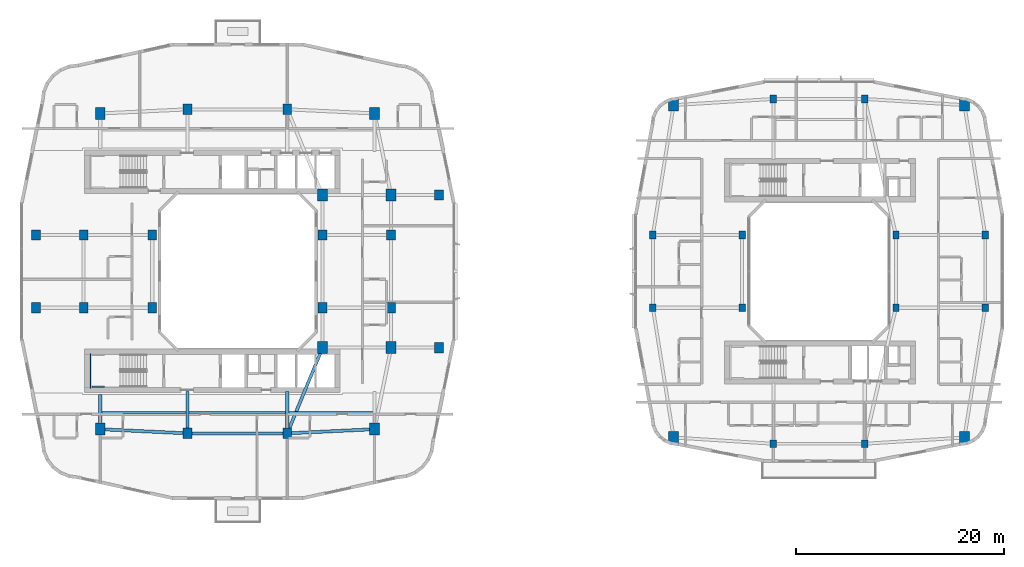
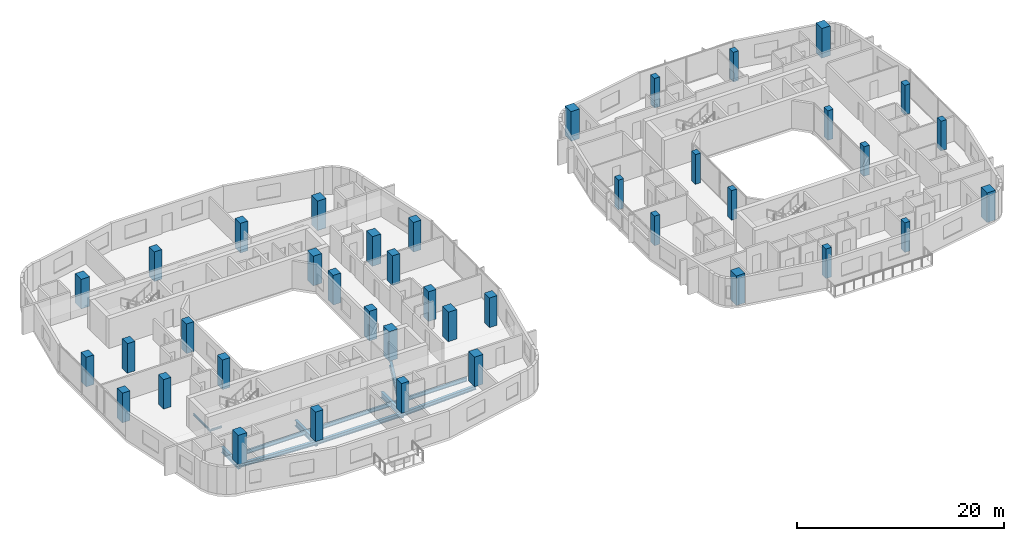
# One storey, part 1 of 24: 40 columns, 12 beams.
"""IFC4 building model written with IfcOpenShell, lengths in metres."""

from ifc_helpers import new_model, si_unit, derived_unit, direction, frame, origin, origin_2d, place, context, subcontext, project, spatial, rectangle, i_section, extrude, material, material_profile, profile_set, type_object, element, save


model = new_model("IFC4")

# Units and contexts
model_context = context("Model", 3, precision=1e-05, world=origin(), true_north=direction((0.0, 1.0)))
body_context = subcontext(model_context, "Body", "Model", "MODEL_VIEW")
ifc_project = project(units=[si_unit("LENGTHUNIT", "METRE"), si_unit("AREAUNIT", "SQUARE_METRE"), si_unit("VOLUMEUNIT", "CUBIC_METRE"), si_unit("PLANEANGLEUNIT", "RADIAN"), si_unit("MASSUNIT", "GRAM", prefix="KILO"), derived_unit("THERMALTRANSMITTANCEUNIT", [(si_unit("POWERUNIT", "WATT"), 1), (si_unit("LENGTHUNIT", "METRE"), -2), (si_unit("THERMODYNAMICTEMPERATUREUNIT", "KELVIN"), -1)])], contexts=[model_context])

# Site, building, storey
site_placement = place(None, origin())
site = spatial("IfcSite", under=ifc_project, at=site_placement, CompositionType="ELEMENT")
building_placement = place(site_placement, origin())
building = spatial("IfcBuilding", under=site, at=building_placement, Name="Kivonza Crest Hotel", CompositionType="ELEMENT")
storey_placement = place(building_placement, frame((0.0, 0.0, 80.0)))
storey = spatial("IfcBuildingStorey", under=building, at=storey_placement, Name="L21", CompositionType="ELEMENT", Elevation=80.0)

# Columns
ifc_material_1 = material(Name="Concrete C50/60", Category="concrete")
ifc_material_profile_1 = material_profile(ifc_material_1, rectangle(XDim=0.85009765625, YDim=1.0, at=origin_2d()), Name="RC 1000x850")
ifc_profile_set_1 = profile_set([ifc_material_profile_1], Name="Concrete C50/60")
column_type_1 = type_object("IfcColumnType", Name="CL-RC-1000x850", PredefinedType="COLUMN", material=ifc_profile_set_1)
for number, where, z_axis, x_axis, name in (
    (1, (16.199951171875, 9.39990234375, 0.0), (0.0, 0.0, 1.0), (1.0, 0.0, 0.0), "Tower T1 L21 column S1"),
    (2, (25.800048828125, 9.39990234375, 0.0), (0.0, 0.0, 1.0), (1.0, 0.0, 0.0), "Tower T1 L21 column S2"),
    (3, (16.199951171875, 40.60009765625, 0.0), (0.0, 0.0, 1.0), (1.0, 0.0, 0.0), "Tower T1 L21 column N1"),
    (4, (25.800048828125, 40.60009765625, 0.0), (0.0, 0.0, 1.0), (1.0, 0.0, 0.0), "Tower T1 L21 column N2"),
    (5, (6.199951171875, 21.5, 0.0), (0.0, 0.0, 1.0), (1.0, 0.0, 0.0), "Tower T1 L21 column W1"),
    (6, (6.199951171875, 28.5, 0.0), (0.0, 0.0, 1.0), (1.0, 0.0, 0.0), "Tower T1 L21 column W2"),
    (7, (35.800048828125, 21.5, 0.0), (0.0, 0.0, 1.0), (1.0, 0.0, 0.0), "Tower T1 L21 column E1"),
    (8, (35.800048828125, 28.5, 0.0), (0.0, 0.0, 1.0), (1.0, 0.0, 0.0), "Tower T1 L21 column E2"),
    (9, (12.800048828125, 21.5, 0.0), (0.0, 0.0, 1.0), (1.0, 0.0, 0.0), "Tower T1 L21 column WL1"),
    (10, (12.800048828125, 28.5, 0.0), (0.0, 0.0, 1.0), (1.0, 0.0, 0.0), "Tower T1 L21 column WL2"),
    (11, (29.199951171875, 21.5, 0.0), (0.0, 0.0, 1.0), (1.0, 0.0, 0.0), "Tower T1 L21 column WR1"),
    (12, (29.199951171875, 28.5, 0.0), (0.0, 0.0, 1.0), (1.0, 0.0, 0.0), "Tower T1 L21 column WR2"),
    (13, (1.60009765625, 21.5, 0.0), (0.0, 0.0, 1.0), (1.0, 0.0, 0.0), "Tower T1 L21 column Z1W1"),
    (14, (1.60009765625, 28.5, 0.0), (0.0, 0.0, 1.0), (1.0, 0.0, 0.0), "Tower T1 L21 column Z1W2"),
    (15, (40.39990234375, 17.64990234375, 0.0), (0.0, 0.0, 1.0), (1.0, 0.0, 0.0), "Tower T1 L21 column Z1E1"),
    (16, (40.39990234375, 32.35009765625, 0.0), (0.0, 0.0, 1.0), (1.0, 0.0, 0.0), "Tower T1 L21 column Z1E2"),
):
    element("IfcColumn", number, at=place(storey_placement, frame(where, z_axis=z_axis, x_axis=x_axis)), inside=storey, type_object=column_type_1, Name=name, PredefinedType="COLUMN", context=body_context, shape_type="SweptSolid", body=[
        extrude(rectangle(XDim=0.85009765625, YDim=1.0, at=origin_2d()), origin(), (0.0, 0.0, 1.0), 3.5),
    ])
ifc_material_2 = material(Name="Concrete C60/75", Category="concrete")
ifc_material_profile_2 = material_profile(ifc_material_2, rectangle(XDim=0.949951171875, YDim=1.14990234375, at=origin_2d()), Name="RC 1150x950")
ifc_profile_set_2 = profile_set([ifc_material_profile_2], Name="Concrete C60/75")
column_type_2 = type_object("IfcColumnType", Name="CL-RC-1150x950", PredefinedType="COLUMN", material=ifc_profile_set_2)
for number, where, z_axis, x_axis, name in (
    (17, (7.800048828125, 9.800048828125, 0.0), (0.0, 0.0, 1.0), (1.0, 0.0, 0.0), "Tower T1 L21 column SW"),
    (18, (34.199951171875, 9.800048828125, 0.0), (0.0, 0.0, 1.0), (1.0, 0.0, 0.0), "Tower T1 L21 column SE"),
    (19, (34.199951171875, 40.199951171875, 0.0), (0.0, 0.0, 1.0), (1.0, 0.0, 0.0), "Tower T1 L21 column NE"),
    (20, (7.800048828125, 40.199951171875, 0.0), (0.0, 0.0, 1.0), (1.0, 0.0, 0.0), "Tower T1 L21 column NW"),
    (21, (35.800048828125, 17.64990234375, 0.0), (0.0, 0.0, 1.0), (1.0, 0.0, 0.0), "Tower T1 L21 column PSE"),
    (22, (35.800048828125, 32.35009765625, 0.0), (0.0, 0.0, 1.0), (1.0, 0.0, 0.0), "Tower T1 L21 column PNE"),
    (23, (29.199951171875, 17.64990234375, 0.0), (0.0, 0.0, 1.0), (1.0, 0.0, 0.0), "Tower T1 L21 column TSE"),
    (24, (29.199951171875, 32.35009765625, 0.0), (0.0, 0.0, 1.0), (1.0, 0.0, 0.0), "Tower T1 L21 column TNE"),
    (25, (63.0, 9.0, 0.0), (0.0, 0.0, 1.0), (1.0, 0.0, 0.0), "Companion Tower T2 L21 column SW"),
    (26, (91.0, 9.0, 0.0), (0.0, 0.0, 1.0), (1.0, 0.0, 0.0), "Companion Tower T2 L21 column SE"),
    (27, (91.0, 41.0, 0.0), (0.0, 0.0, 1.0), (1.0, 0.0, 0.0), "Companion Tower T2 L21 column NE"),
    (28, (63.0, 41.0, 0.0), (0.0, 0.0, 1.0), (1.0, 0.0, 0.0), "Companion Tower T2 L21 column NW"),
):
    element("IfcColumn", number, at=place(storey_placement, frame(where, z_axis=z_axis, x_axis=x_axis)), inside=storey, type_object=column_type_2, Name=name, PredefinedType="COLUMN", context=body_context, shape_type="SweptSolid", body=[
        extrude(rectangle(XDim=0.949951171875, YDim=1.14990234375, at=origin_2d()), origin(), (0.0, 0.0, 1.0), 3.5),
    ])
ifc_material_profile_3 = material_profile(ifc_material_1, rectangle(XDim=0.60009765625, YDim=0.75, at=origin_2d()), Name="RC 750x600")
ifc_profile_set_3 = profile_set([ifc_material_profile_3], Name="Concrete C50/60")
column_type_3 = type_object("IfcColumnType", Name="CL-RC-750x600", PredefinedType="COLUMN", material=ifc_profile_set_3)
for number, where, z_axis, x_axis, name in (
    (29, (72.60009765625, 8.39990234375, 0.0), (0.0, 0.0, 1.0), (1.0, 0.0, 0.0), "Companion Tower T2 L21 column S1"),
    (30, (81.39990234375, 8.39990234375, 0.0), (0.0, 0.0, 1.0), (1.0, 0.0, 0.0), "Companion Tower T2 L21 column S2"),
    (31, (72.60009765625, 41.60009765625, 0.0), (0.0, 0.0, 1.0), (1.0, 0.0, 0.0), "Companion Tower T2 L21 column N1"),
    (32, (81.39990234375, 41.60009765625, 0.0), (0.0, 0.0, 1.0), (1.0, 0.0, 0.0), "Companion Tower T2 L21 column N2"),
    (33, (61.0, 21.5, 0.0), (0.0, 0.0, 1.0), (1.0, 0.0, 0.0), "Companion Tower T2 L21 column W1"),
    (34, (61.0, 28.5, 0.0), (0.0, 0.0, 1.0), (1.0, 0.0, 0.0), "Companion Tower T2 L21 column W2"),
    (35, (93.0, 21.5, 0.0), (0.0, 0.0, 1.0), (1.0, 0.0, 0.0), "Companion Tower T2 L21 column E1"),
    (36, (93.0, 28.5, 0.0), (0.0, 0.0, 1.0), (1.0, 0.0, 0.0), "Companion Tower T2 L21 column E2"),
    (37, (69.60009765625, 21.5, 0.0), (0.0, 0.0, 1.0), (1.0, 0.0, 0.0), "Companion Tower T2 L21 column WL1"),
    (38, (69.60009765625, 28.5, 0.0), (0.0, 0.0, 1.0), (1.0, 0.0, 0.0), "Companion Tower T2 L21 column WL2"),
    (39, (84.39990234375, 21.5, 0.0), (0.0, 0.0, 1.0), (1.0, 0.0, 0.0), "Companion Tower T2 L21 column WR1"),
    (40, (84.39990234375, 28.5, 0.0), (0.0, 0.0, 1.0), (1.0, 0.0, 0.0), "Companion Tower T2 L21 column WR2"),
):
    element("IfcColumn", number, at=place(storey_placement, frame(where, z_axis=z_axis, x_axis=x_axis)), inside=storey, type_object=column_type_3, Name=name, PredefinedType="COLUMN", context=body_context, shape_type="SweptSolid", body=[
        extrude(rectangle(XDim=0.60009765625, YDim=0.75, at=origin_2d()), origin(), (0.0, 0.0, 1.0), 3.5),
    ])

# Beams
ifc_material_3 = material(Name="Steel S355", Category="steel")
ifc_material_profile_4 = material_profile(ifc_material_3, i_section(OverallWidth=0.300048828125, OverallDepth=0.449951171875, WebThickness=0.013916015625, FlangeThickness=0.02587890625, FilletRadius=0.027099609375, at=origin_2d()), Name="HEB 450")
ifc_profile_set_4 = profile_set([ifc_material_profile_4], Name="Steel S355")
beam_type_1 = type_object("IfcBeamType", Name="BM-HEB450", PredefinedType="SPANDREL", material=ifc_profile_set_4)
beam_1_placement = place(storey_placement, frame((16.199951171875, 9.39990234375, -0.5048828125), z_axis=(1.0, 0.0, 0.0), x_axis=(0.0, 1.0, 0.0)))
element("IfcBeam", 41, at=beam_1_placement, inside=storey, type_object=beam_type_1, Name="Tower T1 L21 perimeter spandrel S1-S2", PredefinedType="SPANDREL", context=body_context, shape_type="SweptSolid", body=[
    extrude(i_section(OverallWidth=0.300048828125, OverallDepth=0.449951171875, WebThickness=0.013916015625, FlangeThickness=0.02587890625, FilletRadius=0.027099609375, at=origin_2d()), origin(), (0.0, 0.0, 1.0), 9.60009765625),
])
for number, where, z_axis, x_axis, name in (
    (42, (25.800048828125, 9.39990234375, -0.5048828125), (0.998867283688, 0.047583080799, 0.0), (-0.047583080799, 0.998867283688, 0.0), "Tower T1 L21 perimeter spandrel S2-SE"),
    (43, (7.800048828125, 9.800048828125, -0.5048828125), (0.998867283688, -0.047583080799, 0.0), (0.047583080799, 0.998867283688, 0.0), "Tower T1 L21 perimeter spandrel SW-S1"),
):
    element("IfcBeam", number, at=place(storey_placement, frame(where, z_axis=z_axis, x_axis=x_axis)), inside=storey, type_object=beam_type_1, Name=name, PredefinedType="SPANDREL", context=body_context, shape_type="SweptSolid", body=[
        extrude(i_section(OverallWidth=0.300048828125, OverallDepth=0.449951171875, WebThickness=0.013916015625, FlangeThickness=0.02587890625, FilletRadius=0.027099609375, at=origin_2d()), origin(), (0.0, 0.0, 1.0), 8.409423828125),
    ])
ifc_material_profile_5 = material_profile(ifc_material_3, i_section(OverallWidth=0.300048828125, OverallDepth=0.699951171875, WebThickness=0.01708984375, FlangeThickness=0.031982421875, FilletRadius=0.027099609375, at=origin_2d()), Name="HEB 700")
ifc_profile_set_5 = profile_set([ifc_material_profile_5], Name="Steel S355")
beam_type_2 = type_object("IfcBeamType", Name="BM-HEB700", PredefinedType="BEAM", material=ifc_profile_set_5)
beam_2_placement = place(storey_placement, frame((25.800048828125, 9.39990234375, -0.6298828125), z_axis=(0.381022260404, 0.924565864109, 0.0), x_axis=(-0.924565864109, 0.381022260404, 0.0)))
element("IfcBeam", 44, at=beam_2_placement, inside=storey, type_object=beam_type_2, Name="Tower T1 L21 primary girder S1-TSE", PredefinedType="BEAM", context=body_context, shape_type="SweptSolid", body=[
    extrude(i_section(OverallWidth=0.300048828125, OverallDepth=0.699951171875, WebThickness=0.01708984375, FlangeThickness=0.031982421875, FilletRadius=0.027099609375, at=origin_2d()), origin(), (0.0, 0.0, 1.0), 8.923095703125),
])
beam_3_placement = place(storey_placement, frame((7.800048828125, 9.800048828125, -0.6298828125), z_axis=(0.0, 1.0, 0.0), x_axis=(-1.0, 0.0, 0.0)))
element("IfcBeam", 45, at=beam_3_placement, inside=storey, type_object=beam_type_2, Name="Tower T1 L21 radial core girder RSW", PredefinedType="BEAM", context=body_context, shape_type="SweptSolid", body=[
    extrude(i_section(OverallWidth=0.300048828125, OverallDepth=0.699951171875, WebThickness=0.01708984375, FlangeThickness=0.031982421875, FilletRadius=0.027099609375, at=origin_2d()), origin(), (0.0, 0.0, 1.0), 3.349853515625),
])
for number, where, z_axis, x_axis, name in (
    (46, (16.199951171875, 9.39990234375, -0.6298828125), (0.0, 1.0, 0.0), (-1.0, 0.0, 0.0), "Tower T1 L21 radial core girder RS1"),
    (47, (25.800048828125, 9.39990234375, -0.6298828125), (0.0, 1.0, 0.0), (-1.0, 0.0, 0.0), "Tower T1 L21 radial core girder RS2"),
):
    element("IfcBeam", number, at=place(storey_placement, frame(where, z_axis=z_axis, x_axis=x_axis)), inside=storey, type_object=beam_type_2, Name=name, PredefinedType="BEAM", context=body_context, shape_type="SweptSolid", body=[
        extrude(i_section(OverallWidth=0.300048828125, OverallDepth=0.699951171875, WebThickness=0.01708984375, FlangeThickness=0.031982421875, FilletRadius=0.027099609375, at=origin_2d()), origin(), (0.0, 0.0, 1.0), 4.050048828125),
    ])
ifc_material_profile_6 = material_profile(ifc_material_3, i_section(OverallWidth=0.18994140625, OverallDepth=0.449951171875, WebThickness=0.009521484375, FlangeThickness=0.0146484375, FilletRadius=0.02099609375, at=origin_2d()), Name="IPE 450")
ifc_profile_set_6 = profile_set([ifc_material_profile_6], Name="Steel S355")
beam_type_3 = type_object("IfcBeamType", Name="BM-IPE450", PredefinedType="JOIST", material=ifc_profile_set_6)
beam_4_placement = place(storey_placement, frame((7.8798828125, 11.39990234375, -0.5048828125), z_axis=(1.0, 0.0, 0.0), x_axis=(0.0, 1.0, 0.0)))
element("IfcBeam", 48, at=beam_4_placement, inside=storey, type_object=beam_type_3, Name="Tower T1 L21 South-West floor joist", PredefinedType="JOIST", context=body_context, shape_type="SweptSolid", body=[
    extrude(i_section(OverallWidth=0.18994140625, OverallDepth=0.449951171875, WebThickness=0.009521484375, FlangeThickness=0.0146484375, FilletRadius=0.02099609375, at=origin_2d()), origin(), (0.0, 0.0, 1.0), 8.240234375),
])
beam_5_placement = place(storey_placement, frame((16.280029296875, 11.39990234375, -0.5048828125), z_axis=(1.0, 0.0, 0.0), x_axis=(0.0, 1.0, 0.0)))
element("IfcBeam", 49, at=beam_5_placement, inside=storey, type_object=beam_type_3, Name="Tower T1 L21 South-Mid floor joist", PredefinedType="JOIST", context=body_context, shape_type="SweptSolid", body=[
    extrude(i_section(OverallWidth=0.18994140625, OverallDepth=0.449951171875, WebThickness=0.009521484375, FlangeThickness=0.0146484375, FilletRadius=0.02099609375, at=origin_2d()), origin(), (0.0, 0.0, 1.0), 9.43994140625),
])
beam_6_placement = place(storey_placement, frame((25.8798828125, 11.39990234375, -0.5048828125), z_axis=(1.0, 0.0, 0.0), x_axis=(0.0, 1.0, 0.0)))
element("IfcBeam", 50, at=beam_6_placement, inside=storey, type_object=beam_type_3, Name="Tower T1 L21 South-East floor joist", PredefinedType="JOIST", context=body_context, shape_type="SweptSolid", body=[
    extrude(i_section(OverallWidth=0.18994140625, OverallDepth=0.449951171875, WebThickness=0.009521484375, FlangeThickness=0.0146484375, FilletRadius=0.02099609375, at=origin_2d()), origin(), (0.0, 0.0, 1.0), 8.240234375),
])
ifc_material_profile_7 = material_profile(ifc_material_3, i_section(OverallWidth=0.1201171875, OverallDepth=0.239990234375, WebThickness=0.006103515625, FlangeThickness=0.009765625, FilletRadius=0.014892578125, at=origin_2d()), Name="IPE 240")
ifc_profile_set_7 = profile_set([ifc_material_profile_7], Name="Steel S355")
beam_type_4 = type_object("IfcBeamType", Name="BM-LLDG-240", PredefinedType="BEAM", material=ifc_profile_set_7)
beam_7_placement = place(storey_placement, frame((6.860107421875, 13.739990234375, 1.429931640625), z_axis=(0.0, 1.0, 0.0), x_axis=(-1.0, 0.0, 0.0)))
element("IfcBeam", 51, at=beam_7_placement, inside=storey, type_object=beam_type_4, Name="Stair ST-T1-S L21 West landing corbel", PredefinedType="BEAM", context=body_context, shape_type="SweptSolid", body=[
    extrude(i_section(OverallWidth=0.1201171875, OverallDepth=0.239990234375, WebThickness=0.006103515625, FlangeThickness=0.009765625, FilletRadius=0.014892578125, at=origin_2d()), origin(), (0.0, 0.0, 1.0), 3.360107421875),
])
beam_8_placement = place(storey_placement, frame((6.989990234375, 13.89990234375, 1.429931640625), z_axis=(1.0, 0.0, 0.0), x_axis=(0.0, 1.0, 0.0)))
element("IfcBeam", 52, at=beam_8_placement, inside=storey, type_object=beam_type_4, Name="Stair ST-T1-S L21 South landing corbel", PredefinedType="BEAM", context=body_context, shape_type="SweptSolid", body=[
    extrude(i_section(OverallWidth=0.1201171875, OverallDepth=0.239990234375, WebThickness=0.006103515625, FlangeThickness=0.009765625, FilletRadius=0.014892578125, at=origin_2d()), origin(), (0.0, 0.0, 1.0), 1.2099609375),
])

save(model, "model.ifc")
